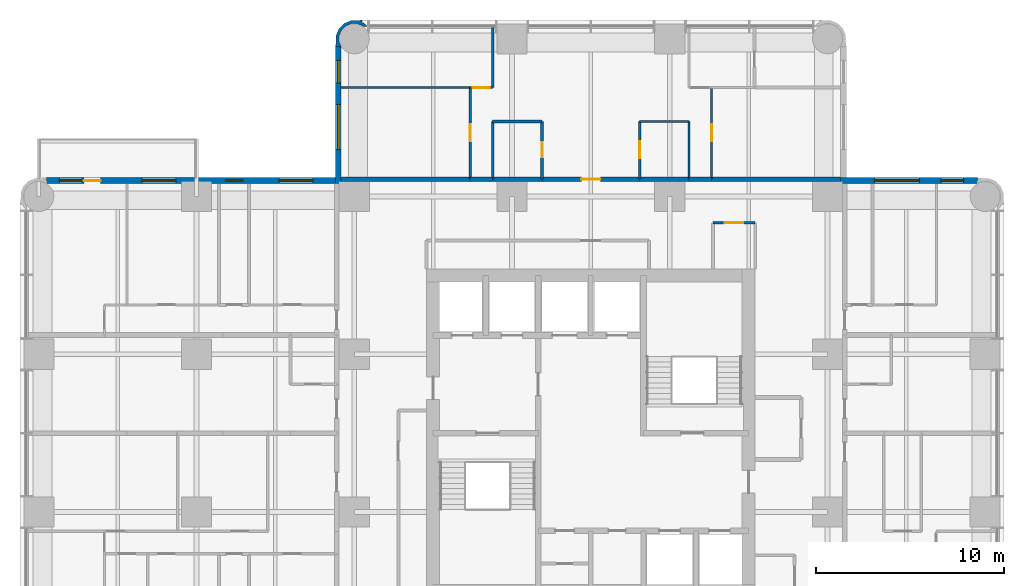
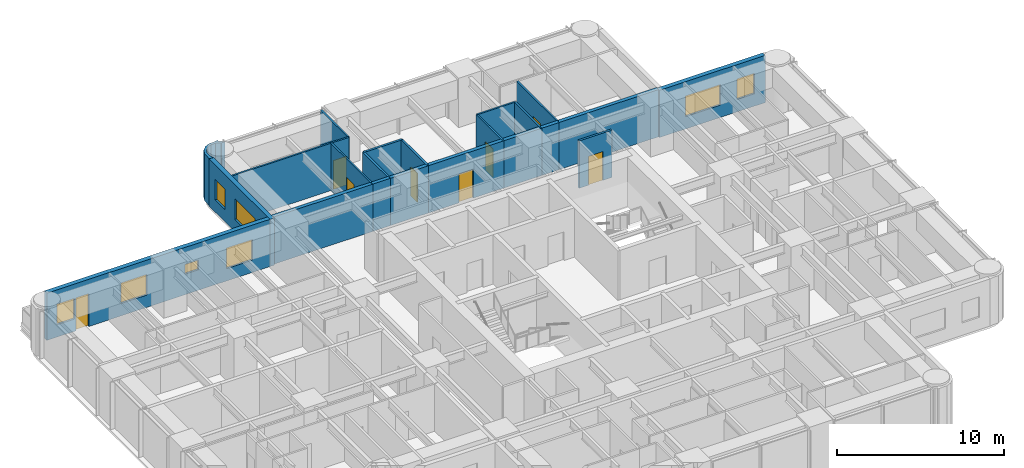
# One storey, part 9 of 11: 23 walls, 8 doors, 8 windows, 16 openings.
"""IFC4 building model written with IfcOpenShell, lengths in metres."""

from ifc_helpers import new_model, si_unit, direction, frame, frame_2d, origin, place, context, subcontext, project, spatial, polyline, rectangle, outline, extrude, material, layer, layer_set, type_object, element, fill, save


model = new_model("IFC4")

# Units and contexts
model_context = context("Model", 3, precision=1e-05, world=origin(), true_north=direction((0.0, 1.0)))
body_context = subcontext(model_context, "Body", "Model", "MODEL_VIEW")
ifc_project = project(units=[si_unit("LENGTHUNIT", "METRE"), si_unit("AREAUNIT", "SQUARE_METRE"), si_unit("VOLUMEUNIT", "CUBIC_METRE"), si_unit("PLANEANGLEUNIT", "RADIAN"), si_unit("MASSUNIT", "GRAM", prefix="KILO")], contexts=[model_context])

# Site, building, storey
site_placement = place(None, origin())
site = spatial("IfcSite", under=ifc_project, at=site_placement, CompositionType="ELEMENT")
building_placement = place(site_placement, origin())
building = spatial("IfcBuilding", under=site, at=building_placement, Name="Torre Alcanfor", CompositionType="ELEMENT")
storey_placement = place(building_placement, frame((0.0, 0.0, 240.89990234375)))
storey = spatial("IfcBuildingStorey", under=building, at=storey_placement, Name="L63", CompositionType="ELEMENT", Elevation=240.89990234375)

# Wall, opening, door
ifc_material_1 = material(Name="Concrete block masonry, hollow blocks NMX-C-404 9 MPa", Category="masonry")
ifc_layer_1 = layer(ifc_material_1, 0.25)
ifc_layer_set_1 = layer_set([ifc_layer_1], Name="Apartment entrance wall 250 EI 60")
wall_type_1 = type_object("IfcWallType", Name="Apartment entrance wall 250 EI 60", PredefinedType="PARTITIONING", material=ifc_layer_set_1)
wall_1_placement = place(storey_placement, frame((26.800048828125, 42.925048828125, 0.0), z_axis=(0.0, 0.0, 1.0), x_axis=(1.0, 0.0, 0.0)))
wall_1 = element("IfcWall", 1, at=wall_1_placement, inside=storey, type_object=wall_type_1, Name="Partition L63-CORR / L63-NX-ZAG", PredefinedType="PARTITIONING", context=body_context, shape_type="SweptSolid", body=[
    extrude(rectangle(XDim=5.199951171875, YDim=0.25, at=frame_2d((2.60009765625, 0.0))), origin(), (0.0, 0.0, 1.0), 3.4501953125),
])
opening_1_placement = place(wall_1_placement, frame((2.10009765625, 0.0, 0.0)))
opening_1 = element("IfcOpeningElement", 2, at=opening_1_placement, cuts=wall_1, Name="Opening D-A1", PredefinedType="OPENING", context=body_context, shape_type="SweptSolid", body=[
    extrude(rectangle(XDim=1.0, YDim=2.10009765625, at=frame_2d((0.5, 1.050048828125))), frame((0.0, 0.135009765625, 0.0), z_axis=(0.0, -1.0, 0.0), x_axis=(1.0, 0.0, 0.0)), (0.0, 0.0, 1.0), 0.27001953125),
])
ifc_material_2 = material(Name="Galvanised steel sheet ASTM A653", Category="steel")
door_type_1 = type_object("IfcDoorType", Name="Apartment entrance door FD60 1000x2100", OperationType="SINGLE_SWING_LEFT", PredefinedType="DOOR", material=ifc_material_2)
door_1_placement = place(opening_1_placement, origin())
door_1 = element("IfcDoor", 3, at=door_1_placement, inside=storey, type_object=door_type_1, Name="Apartment entrance L63-NX", OperationType="SINGLE_SWING_LEFT", OverallHeight=2.10009765625, OverallWidth=1.0, PredefinedType="DOOR", context=body_context, shape_type="SweptSolid", body=[
    extrude(rectangle(XDim=1.0, YDim=2.10009765625, at=frame_2d((0.5, 1.050048828125))), frame((0.0, 0.02490234375, 0.0), z_axis=(0.0, -1.0, 0.0), x_axis=(1.0, 0.0, 0.0)), (0.0, 0.0, 1.0), 0.050048828125),
])
fill(opening_1, door_1)

# Walls
wall_2_placement = place(storey_placement, frame((24.1708984375, 42.925048828125, 0.0), z_axis=(0.0, 0.0, 1.0), x_axis=(1.0, 0.0, 0.0)))
element("IfcWall", 4, at=wall_2_placement, inside=storey, type_object=wall_type_1, Name="Partition L63-CORR / L63-NX-BATH2", PredefinedType="PARTITIONING", context=body_context, shape_type="SweptSolid", body=[
    extrude(rectangle(XDim=2.629150390625, YDim=0.25, at=frame_2d((1.314453125, 0.0))), origin(), (0.0, 0.0, 1.0), 3.4501953125),
])
wall_3_placement = place(storey_placement, frame((32.0, 42.925048828125, 0.0), z_axis=(0.0, 0.0, 1.0), x_axis=(1.0, 0.0, 0.0)))
element("IfcWall", 5, at=wall_3_placement, inside=storey, type_object=wall_type_1, Name="Partition L63-CORR / L63-NX-KITCHEN", PredefinedType="PARTITIONING", context=body_context, shape_type="SweptSolid", body=[
    extrude(rectangle(XDim=2.62890625, YDim=0.25, at=frame_2d((1.314453125, 0.0))), origin(), (0.0, 0.0, 1.0), 3.4501953125),
])
wall_4_placement = place(storey_placement, frame((22.970947265625, 42.925048828125, 0.0), z_axis=(0.0, 0.0, 1.0), x_axis=(1.0, 0.0, 0.0)))
element("IfcWall", 6, at=wall_4_placement, inside=storey, type_object=wall_type_1, Name="Partition L63-CORR / L63-NX-LIVING", PredefinedType="PARTITIONING", context=body_context, shape_type="SweptSolid", body=[
    extrude(rectangle(XDim=1.199951171875, YDim=0.25, at=frame_2d((0.60009765625, 0.0))), origin(), (0.0, 0.0, 1.0), 3.4501953125),
])
wall_5_placement = place(storey_placement, frame((34.62890625, 42.925048828125, 0.0), z_axis=(0.0, 0.0, 1.0), x_axis=(1.0, 0.0, 0.0)))
element("IfcWall", 7, at=wall_5_placement, inside=storey, type_object=wall_type_1, Name="Partition L63-CORR / L63-NX-LIVING", PredefinedType="PARTITIONING", context=body_context, shape_type="SweptSolid", body=[
    extrude(rectangle(XDim=1.2001953125, YDim=0.25, at=frame_2d((0.60009765625, 0.0))), origin(), (0.0, 0.0, 1.0), 3.4501953125),
])
for number, where, z_axis, x_axis, name in (
    (8, (16.10009765625, 42.925048828125, 0.0), (0.0, 0.0, 1.0), (1.0, 0.0, 0.0), "Partition L63-CORR / L63-NX-BED2"),
    (9, (35.8291015625, 42.925048828125, 0.0), (0.0, 0.0, 1.0), (1.0, 0.0, 0.0), "Partition L63-CORR / L63-NX-BED3"),
):
    element("IfcWall", number, at=place(storey_placement, frame(where, z_axis=z_axis, x_axis=x_axis)), inside=storey, type_object=wall_type_1, Name=name, PredefinedType="PARTITIONING", context=body_context, shape_type="SweptSolid", body=[
        extrude(rectangle(XDim=6.870849609375, YDim=0.25, at=frame_2d((3.435546875, 0.0))), origin(), (0.0, 0.0, 1.0), 3.4501953125),
    ])

# Wall, opening, door
ifc_material_3 = material(Name="Gypsum board on steel studs", Category="steel")
ifc_layer_2 = layer(ifc_material_3, 0.1201171875)
ifc_layer_set_2 = layer_set([ifc_layer_2], Name="Apartment partition 120")
wall_type_2 = type_object("IfcWallType", Name="Apartment partition 120", PredefinedType="PARTITIONING", material=ifc_layer_set_2)
wall_6_placement = place(storey_placement, frame((32.0, 42.925048828125, 0.0), z_axis=(0.0, 0.0, 1.0), x_axis=(0.0, 1.0, 0.0)))
wall_6 = element("IfcWall", 10, at=wall_6_placement, inside=storey, type_object=wall_type_2, Name="Partition L63-NX-ZAG / L63-NX-KITCHEN", PredefinedType="PARTITIONING", context=body_context, shape_type="SweptSolid", body=[
    extrude(rectangle(XDim=3.074951171875, YDim=0.1201171875, at=frame_2d((1.53759765625, 0.0))), origin(), (0.0, 0.0, 1.0), 3.4501953125),
])
opening_2_placement = place(wall_6_placement, frame((1.125, 0.0, 0.0)))
opening_2 = element("IfcOpeningElement", 11, at=opening_2_placement, cuts=wall_6, Name="Opening D-R1", PredefinedType="OPENING", context=body_context, shape_type="SweptSolid", body=[
    extrude(rectangle(XDim=0.89990234375, YDim=2.10009765625, at=frame_2d((0.449951171875, 1.050048828125))), frame((0.0, 0.070068359375, 0.0), z_axis=(0.0, -1.0, 0.0), x_axis=(1.0, 0.0, 0.0)), (0.0, 0.0, 1.0), 0.14013671875),
])
ifc_material_4 = material(Name="Timber", Category="wood")
door_type_2 = type_object("IfcDoorType", Name="Internal door 900x2100", OperationType="SINGLE_SWING_LEFT", PredefinedType="DOOR", material=ifc_material_4)
door_2_placement = place(opening_2_placement, frame((0.89990234375, 0.0, 0.0), z_axis=(0.0, 0.0, 1.0), x_axis=(-1.0, 0.0, 0.0)))
door_2 = element("IfcDoor", 12, at=door_2_placement, inside=storey, type_object=door_type_2, Name="Door L63-NX kitchen", OperationType="SINGLE_SWING_LEFT", OverallHeight=2.10009765625, OverallWidth=0.89990234375, PredefinedType="DOOR", context=body_context, shape_type="SweptSolid", body=[
    extrude(rectangle(XDim=0.89990234375, YDim=2.10009765625, at=frame_2d((0.449951171875, 1.050048828125))), frame((0.0, 0.025146484375, 0.0), z_axis=(0.0, -1.0, 0.0), x_axis=(1.0, 0.0, 0.0)), (0.0, 0.0, 1.0), 0.050048828125),
])
fill(opening_2, door_2)

# Walls
wall_7_placement = place(storey_placement, frame((34.62890625, 42.925048828125, 0.0), z_axis=(0.0, 0.0, 1.0), x_axis=(0.0, 1.0, 0.0)))
element("IfcWall", 13, at=wall_7_placement, inside=storey, type_object=wall_type_2, Name="Partition L63-NX-KITCHEN / L63-NX-LIVING", PredefinedType="PARTITIONING", context=body_context, shape_type="SweptSolid", body=[
    extrude(rectangle(XDim=3.074951171875, YDim=0.1201171875, at=frame_2d((1.53759765625, 0.0))), origin(), (0.0, 0.0, 1.0), 3.4501953125),
])
wall_8_placement = place(storey_placement, frame((34.62890625, 46.0, 0.0), z_axis=(0.0, 0.0, 1.0), x_axis=(-1.0, 0.0, 0.0)))
element("IfcWall", 14, at=wall_8_placement, inside=storey, type_object=wall_type_2, Name="Partition L63-NX-KITCHEN / L63-NX-LIVING", PredefinedType="PARTITIONING", context=body_context, shape_type="SweptSolid", body=[
    extrude(rectangle(XDim=2.62890625, YDim=0.1201171875, at=frame_2d((1.314453125, 0.0))), origin(), (0.0, 0.0, 1.0), 3.4501953125),
])

# Wall, opening, door
wall_9_placement = place(storey_placement, frame((22.970947265625, 42.925048828125, 0.0), z_axis=(0.0, 0.0, 1.0), x_axis=(0.0, 1.0, 0.0)))
wall_9 = element("IfcWall", 15, at=wall_9_placement, inside=storey, type_object=wall_type_2, Name="Partition L63-NX-LIVING / L63-NX-BED2", PredefinedType="PARTITIONING", context=body_context, shape_type="SweptSolid", body=[
    extrude(rectangle(XDim=4.875, YDim=0.1201171875, at=frame_2d((2.4375, 0.0))), origin(), (0.0, 0.0, 1.0), 3.4501953125),
])
opening_3_placement = place(wall_9_placement, frame((2.02490234375, 0.0, 0.0)))
opening_3 = element("IfcOpeningElement", 16, at=opening_3_placement, cuts=wall_9, Name="Opening D-R1", PredefinedType="OPENING", context=body_context, shape_type="SweptSolid", body=[
    extrude(rectangle(XDim=0.89990234375, YDim=2.10009765625, at=frame_2d((0.449951171875, 1.050048828125))), frame((0.0, 0.070068359375, 0.0), z_axis=(0.0, -1.0, 0.0), x_axis=(1.0, 0.0, 0.0)), (0.0, 0.0, 1.0), 0.14013671875),
])
door_3_placement = place(opening_3_placement, origin())
door_3 = element("IfcDoor", 17, at=door_3_placement, inside=storey, type_object=door_type_2, Name="Door L63-NX bed2", OperationType="SINGLE_SWING_RIGHT", OverallHeight=2.10009765625, OverallWidth=0.89990234375, PredefinedType="DOOR", context=body_context, shape_type="SweptSolid", body=[
    extrude(rectangle(XDim=0.89990234375, YDim=2.10009765625, at=frame_2d((0.449951171875, 1.050048828125))), frame((0.0, 0.02490234375, 0.0), z_axis=(0.0, -1.0, 0.0), x_axis=(1.0, 0.0, 0.0)), (0.0, 0.0, 1.0), 0.050048828125),
])
fill(opening_3, door_3)

wall_10_placement = place(storey_placement, frame((22.970947265625, 47.800048828125, 0.0), z_axis=(0.0, 0.0, 1.0), x_axis=(1.0, 0.0, 0.0)))
wall_10 = element("IfcWall", 18, at=wall_10_placement, inside=storey, type_object=wall_type_2, Name="Partition L63-NX-LIVING / L63-NX-MASTER", PredefinedType="PARTITIONING", context=body_context, shape_type="SweptSolid", body=[
    extrude(rectangle(XDim=1.199951171875, YDim=0.1201171875, at=frame_2d((0.60009765625, 0.0))), origin(), (0.0, 0.0, 1.0), 3.4501953125),
])
opening_4_placement = place(wall_10_placement, frame((0.14892578125, 0.0, 0.0)))
opening_4 = element("IfcOpeningElement", 19, at=opening_4_placement, cuts=wall_10, Name="Opening D-R1", PredefinedType="OPENING", context=body_context, shape_type="SweptSolid", body=[
    extrude(rectangle(XDim=0.89990234375, YDim=2.10009765625, at=frame_2d((0.449951171875, 1.050048828125))), frame((0.0, 0.070068359375, 0.0), z_axis=(0.0, -1.0, 0.0), x_axis=(1.0, 0.0, 0.0)), (0.0, 0.0, 1.0), 0.14013671875),
])
door_4_placement = place(opening_4_placement, origin())
door_4 = element("IfcDoor", 20, at=door_4_placement, inside=storey, type_object=door_type_2, Name="Door L63-NX master", OperationType="SINGLE_SWING_RIGHT", OverallHeight=2.10009765625, OverallWidth=0.89990234375, PredefinedType="DOOR", context=body_context, shape_type="SweptSolid", body=[
    extrude(rectangle(XDim=0.89990234375, YDim=2.10009765625, at=frame_2d((0.449951171875, 1.050048828125))), frame((0.0, 0.02490234375, 0.0), z_axis=(0.0, -1.0, 0.0), x_axis=(1.0, 0.0, 0.0)), (0.0, 0.0, 1.0), 0.050048828125),
])
fill(opening_4, door_4)

# Wall
wall_11_placement = place(storey_placement, frame((24.1708984375, 47.800048828125, 0.0), z_axis=(0.0, 0.0, 1.0), x_axis=(0.0, 1.0, 0.0)))
element("IfcWall", 21, at=wall_11_placement, inside=storey, type_object=wall_type_2, Name="Partition L63-NX-LIVING / L63-NX-MASTER", PredefinedType="PARTITIONING", context=body_context, shape_type="SweptSolid", body=[
    extrude(rectangle(XDim=3.25, YDim=0.1201171875, at=frame_2d((1.625, 0.0))), origin(), (0.0, 0.0, 1.0), 3.4501953125),
])

# Wall, opening, door
wall_12_placement = place(storey_placement, frame((35.8291015625, 47.800048828125, 0.0), z_axis=(0.0, 0.0, 1.0), x_axis=(0.0, -1.0, 0.0)))
wall_12 = element("IfcWall", 22, at=wall_12_placement, inside=storey, type_object=wall_type_2, Name="Partition L63-NX-LIVING / L63-NX-BED3", PredefinedType="PARTITIONING", context=body_context, shape_type="SweptSolid", body=[
    extrude(rectangle(XDim=4.875, YDim=0.1201171875, at=frame_2d((2.4375, 0.0))), origin(), (0.0, 0.0, 1.0), 3.4501953125),
])
opening_5_placement = place(wall_12_placement, frame((1.949951171875, 0.0, 0.0)))
opening_5 = element("IfcOpeningElement", 23, at=opening_5_placement, cuts=wall_12, Name="Opening D-R1", PredefinedType="OPENING", context=body_context, shape_type="SweptSolid", body=[
    extrude(rectangle(XDim=0.89990234375, YDim=2.10009765625, at=frame_2d((0.449951171875, 1.050048828125))), frame((0.0, 0.070068359375, 0.0), z_axis=(0.0, -1.0, 0.0), x_axis=(1.0, 0.0, 0.0)), (0.0, 0.0, 1.0), 0.14013671875),
])
door_5_placement = place(opening_5_placement, origin())
door_5 = element("IfcDoor", 24, at=door_5_placement, inside=storey, type_object=door_type_2, Name="Door L63-NX bed3", OperationType="SINGLE_SWING_LEFT", OverallHeight=2.10009765625, OverallWidth=0.89990234375, PredefinedType="DOOR", context=body_context, shape_type="SweptSolid", body=[
    extrude(rectangle(XDim=0.89990234375, YDim=2.10009765625, at=frame_2d((0.449951171875, 1.050048828125))), frame((0.0, 0.02490234375, 0.0), z_axis=(0.0, -1.0, 0.0), x_axis=(1.0, 0.0, 0.0)), (0.0, 0.0, 1.0), 0.050048828125),
])
fill(opening_5, door_5)

# Wall
wall_13_placement = place(storey_placement, frame((22.970947265625, 47.800048828125, 0.0), z_axis=(0.0, 0.0, 1.0), x_axis=(-1.0, 0.0, 0.0)))
element("IfcWall", 25, at=wall_13_placement, inside=storey, type_object=wall_type_2, Name="Partition L63-NX-BED2 / L63-NX-MASTER", PredefinedType="PARTITIONING", context=body_context, shape_type="SweptSolid", body=[
    extrude(rectangle(XDim=6.870849609375, YDim=0.1201171875, at=frame_2d((3.435546875, 0.0))), origin(), (0.0, 0.0, 1.0), 3.4501953125),
])

# Wall, openings, door, windows
ifc_material_5 = material(Name="Limestone cladding", Category="masonry")
ifc_layer_3 = layer(ifc_material_5, 0.0400390625, Name="Facing")
ifc_material_6 = material(Name="Ventilated air cavity")
ifc_layer_4 = layer(ifc_material_6, 0.02001953125, ventilated=True, Name="Ventilated joint")
ifc_material_7 = material(Name="Mineral wool insulation", Category="insulation")
ifc_layer_5 = layer(ifc_material_7, 0.10009765625, Name="Insulation")
ifc_material_8 = material(Name="Concrete f'c 35 MPa", Category="concrete")
ifc_layer_6 = layer(ifc_material_8, 0.139892578125, Name="Backing")
ifc_layer_set_3 = layer_set([ifc_layer_3, ifc_layer_4, ifc_layer_5, ifc_layer_6], Name="External wall stone-clad 300")
wall_type_3 = type_object("IfcWallType", Name="External wall stone-clad 300", PredefinedType="SOLIDWALL", material=ifc_layer_set_3)
wall_14_placement = place(storey_placement, frame((15.800048828125, 42.85009765625, 0.0), z_axis=(0.0, 0.0, 1.0), x_axis=(-1.0, 0.0, 0.0)))
wall_14 = element("IfcWall", 26, at=wall_14_placement, inside=storey, type_object=wall_type_3, Name="External wall L63 1", PredefinedType="SOLIDWALL", context=body_context, shape_type="SweptSolid", body=[
    extrude(rectangle(XDim=15.400146484375, YDim=0.300048828125, at=frame_2d((7.7001953125, 0.0))), origin(), (0.0, 0.0, 1.0), 3.4501953125),
])
opening_6_placement = place(wall_14_placement, frame((1.199951171875, 0.0, 0.89990234375)))
opening_6 = element("IfcOpeningElement", 27, at=opening_6_placement, cuts=wall_14, Name="Opening W2", PredefinedType="OPENING", context=body_context, shape_type="SweptSolid", body=[
    extrude(rectangle(XDim=1.800048828125, YDim=1.5, at=frame_2d((0.89990234375, 0.75))), frame((0.0, 0.159912109375, 0.0), z_axis=(0.0, -1.0, 0.0), x_axis=(1.0, 0.0, 0.0)), (0.0, 0.0, 1.0), 0.320068359375),
])
opening_7_placement = place(wall_14_placement, frame((4.949951171875, 0.0, 1.5)))
opening_7 = element("IfcOpeningElement", 28, at=opening_7_placement, cuts=wall_14, Name="Opening W3", PredefinedType="OPENING", context=body_context, shape_type="SweptSolid", body=[
    extrude(rectangle(XDim=0.89990234375, YDim=0.699951171875, at=frame_2d((0.449951171875, 0.35009765625))), frame((0.0, 0.159912109375, 0.0), z_axis=(0.0, -1.0, 0.0), x_axis=(1.0, 0.0, 0.0)), (0.0, 0.0, 1.0), 0.320068359375),
])
opening_8_placement = place(wall_14_placement, frame((8.5, 0.0, 0.89990234375)))
opening_8 = element("IfcOpeningElement", 29, at=opening_8_placement, cuts=wall_14, Name="Opening W2", PredefinedType="OPENING", context=body_context, shape_type="SweptSolid", body=[
    extrude(rectangle(XDim=1.800048828125, YDim=1.5, at=frame_2d((0.89990234375, 0.75))), frame((0.0, 0.159912109375, 0.0), z_axis=(0.0, -1.0, 0.0), x_axis=(1.0, 0.0, 0.0)), (0.0, 0.0, 1.0), 0.320068359375),
])
opening_9_placement = place(wall_14_placement, frame((12.5, 0.0, 0.0)))
opening_9 = element("IfcOpeningElement", 30, at=opening_9_placement, cuts=wall_14, Name="Opening D-B1", PredefinedType="OPENING", context=body_context, shape_type="SweptSolid", body=[
    extrude(rectangle(XDim=0.89990234375, YDim=2.39990234375, at=frame_2d((0.449951171875, 1.199951171875))), frame((0.0, 0.159912109375, 0.0), z_axis=(0.0, -1.0, 0.0), x_axis=(1.0, 0.0, 0.0)), (0.0, 0.0, 1.0), 0.320068359375),
])
opening_10_placement = place(wall_14_placement, frame((13.5, 0.0, 0.89990234375)))
opening_10 = element("IfcOpeningElement", 31, at=opening_10_placement, cuts=wall_14, Name="Opening W4", PredefinedType="OPENING", context=body_context, shape_type="SweptSolid", body=[
    extrude(rectangle(XDim=1.199951171875, YDim=1.5, at=frame_2d((0.60009765625, 0.75))), frame((0.0, 0.159912109375, 0.0), z_axis=(0.0, -1.0, 0.0), x_axis=(1.0, 0.0, 0.0)), (0.0, 0.0, 1.0), 0.320068359375),
])
ifc_material_9 = material(Name="Aluminium and glass", Category="aluminium")
door_type_3 = type_object("IfcDoorType", Name="Balcony door glazed 900x2400", OperationType="SINGLE_SWING_LEFT", PredefinedType="DOOR", material=ifc_material_9)
door_6_placement = place(opening_9_placement, origin())
door_6 = element("IfcDoor", 32, at=door_6_placement, inside=storey, type_object=door_type_3, Name="Balcony door L63-W2", OperationType="SINGLE_SWING_LEFT", OverallHeight=2.39990234375, OverallWidth=0.89990234375, PredefinedType="DOOR", context=body_context, shape_type="SweptSolid", body=[
    extrude(rectangle(XDim=0.89990234375, YDim=2.39990234375, at=frame_2d((0.449951171875, 1.199951171875))), frame((0.0, 0.02490234375, 0.0), z_axis=(0.0, -1.0, 0.0), x_axis=(1.0, 0.0, 0.0)), (0.0, 0.0, 1.0), 0.050048828125),
])
fill(opening_9, door_6)
ifc_material_10 = material(Name="Aluminium frame with clear double glazing", Category="aluminium")
window_type_1 = type_object("IfcWindowType", Name="Window bathroom 900x700", PartitioningType="SINGLE_PANEL", PredefinedType="WINDOW", material=ifc_material_10)
window_1_placement = place(opening_7_placement, origin())
window_1 = element("IfcWindow", 33, at=window_1_placement, inside=storey, type_object=window_type_1, Name="Window W3 L63-W2", OverallHeight=0.699951171875, OverallWidth=0.89990234375, PartitioningType="SINGLE_PANEL", PredefinedType="WINDOW", context=body_context, shape_type="SweptSolid", body=[
    extrude(rectangle(XDim=0.89990234375, YDim=0.699951171875, at=frame_2d((0.449951171875, 0.35009765625))), frame((0.0, 0.030029296875, 0.0), z_axis=(0.0, -1.0, 0.0), x_axis=(1.0, 0.0, 0.0)), (0.0, 0.0, 1.0), 0.06005859375),
])
fill(opening_7, window_1)
ifc_material_11 = material(Name="Aluminium frame with clear double glazing", Category="aluminium")
window_type_2 = type_object("IfcWindowType", Name="Window bedroom 1200x1500", PartitioningType="SINGLE_PANEL", PredefinedType="WINDOW", material=ifc_material_11)
window_2_placement = place(opening_10_placement, origin())
window_2 = element("IfcWindow", 34, at=window_2_placement, inside=storey, type_object=window_type_2, Name="Window W4 L63-W2", OverallHeight=1.5, OverallWidth=1.199951171875, PartitioningType="SINGLE_PANEL", PredefinedType="WINDOW", context=body_context, shape_type="SweptSolid", body=[
    extrude(rectangle(XDim=1.199951171875, YDim=1.5, at=frame_2d((0.60009765625, 0.75))), frame((0.0, 0.030029296875, 0.0), z_axis=(0.0, -1.0, 0.0), x_axis=(1.0, 0.0, 0.0)), (0.0, 0.0, 1.0), 0.06005859375),
])
fill(opening_10, window_2)
ifc_material_12 = material(Name="Aluminium frame with clear double glazing", Category="aluminium")
window_type_3 = type_object("IfcWindowType", Name="Window bedroom 1800x1500", PartitioningType="SINGLE_PANEL", PredefinedType="WINDOW", material=ifc_material_12)
window_3_placement = place(opening_6_placement, origin())
window_3 = element("IfcWindow", 35, at=window_3_placement, inside=storey, type_object=window_type_3, Name="Window W2 L63-W2", OverallHeight=1.5, OverallWidth=1.800048828125, PartitioningType="SINGLE_PANEL", PredefinedType="WINDOW", context=body_context, shape_type="SweptSolid", body=[
    extrude(rectangle(XDim=1.800048828125, YDim=1.5, at=frame_2d((0.89990234375, 0.75))), frame((0.0, 0.030029296875, 0.0), z_axis=(0.0, -1.0, 0.0), x_axis=(1.0, 0.0, 0.0)), (0.0, 0.0, 1.0), 0.06005859375),
])
fill(opening_6, window_3)
window_4_placement = place(opening_8_placement, origin())
window_4 = element("IfcWindow", 36, at=window_4_placement, inside=storey, type_object=window_type_3, Name="Window W2 L63-W2", OverallHeight=1.5, OverallWidth=1.800048828125, PartitioningType="SINGLE_PANEL", PredefinedType="WINDOW", context=body_context, shape_type="SweptSolid", body=[
    extrude(rectangle(XDim=1.800048828125, YDim=1.5, at=frame_2d((0.89990234375, 0.75))), frame((0.0, 0.030029296875, 0.0), z_axis=(0.0, -1.0, 0.0), x_axis=(1.0, 0.0, 0.0)), (0.0, 0.0, 1.0), 0.06005859375),
])
fill(opening_8, window_4)

# Wall, openings, windows
wall_15_placement = place(storey_placement, frame((50.0, 42.85009765625, 0.0), z_axis=(0.0, 0.0, 1.0), x_axis=(-1.0, 0.0, 0.0)))
wall_15 = element("IfcWall", 37, at=wall_15_placement, inside=storey, type_object=wall_type_3, Name="External wall L63 9", PredefinedType="SOLIDWALL", context=body_context, shape_type="SweptSolid", body=[
    extrude(rectangle(XDim=7.300048828125, YDim=0.300048828125, at=frame_2d((3.64990234375, 0.0))), origin(), (0.0, 0.0, 1.0), 3.4501953125),
])
opening_11_placement = place(wall_15_placement, frame((3.10009765625, 0.0, 0.89990234375)))
opening_11 = element("IfcOpeningElement", 38, at=opening_11_placement, cuts=wall_15, Name="Opening W1", PredefinedType="OPENING", context=body_context, shape_type="SweptSolid", body=[
    extrude(rectangle(XDim=2.39990234375, YDim=1.5, at=frame_2d((1.199951171875, 0.75))), frame((0.0, 0.159912109375, 0.0), z_axis=(0.0, -1.0, 0.0), x_axis=(1.0, 0.0, 0.0)), (0.0, 0.0, 1.0), 0.320068359375),
])
opening_12_placement = place(wall_15_placement, frame((0.75, 0.0, 0.89990234375)))
opening_12 = element("IfcOpeningElement", 39, at=opening_12_placement, cuts=wall_15, Name="Opening W4", PredefinedType="OPENING", context=body_context, shape_type="SweptSolid", body=[
    extrude(rectangle(XDim=1.199951171875, YDim=1.5, at=frame_2d((0.60009765625, 0.75))), frame((0.0, 0.159912109375, 0.0), z_axis=(0.0, -1.0, 0.0), x_axis=(1.0, 0.0, 0.0)), (0.0, 0.0, 1.0), 0.320068359375),
])
window_5_placement = place(opening_12_placement, origin())
window_5 = element("IfcWindow", 40, at=window_5_placement, inside=storey, type_object=window_type_2, Name="Window W4 L63-E1", OverallHeight=1.5, OverallWidth=1.199951171875, PartitioningType="SINGLE_PANEL", PredefinedType="WINDOW", context=body_context, shape_type="SweptSolid", body=[
    extrude(rectangle(XDim=1.199951171875, YDim=1.5, at=frame_2d((0.60009765625, 0.75))), frame((0.0, 0.030029296875, 0.0), z_axis=(0.0, -1.0, 0.0), x_axis=(1.0, 0.0, 0.0)), (0.0, 0.0, 1.0), 0.06005859375),
])
fill(opening_12, window_5)
ifc_material_13 = material(Name="Aluminium frame with clear double glazing", Category="aluminium")
window_type_4 = type_object("IfcWindowType", Name="Window bedroom 2400x1500", PartitioningType="SINGLE_PANEL", PredefinedType="WINDOW", material=ifc_material_13)
window_6_placement = place(opening_11_placement, origin())
window_6 = element("IfcWindow", 41, at=window_6_placement, inside=storey, type_object=window_type_4, Name="Window W1 L63-E1", OverallHeight=1.5, OverallWidth=2.39990234375, PartitioningType="SINGLE_PANEL", PredefinedType="WINDOW", context=body_context, shape_type="SweptSolid", body=[
    extrude(rectangle(XDim=2.39990234375, YDim=1.5, at=frame_2d((1.199951171875, 0.75))), frame((0.0, 0.030029296875, 0.0), z_axis=(0.0, -1.0, 0.0), x_axis=(1.0, 0.0, 0.0)), (0.0, 0.0, 1.0), 0.06005859375),
])
fill(opening_11, window_6)

wall_16_placement = place(storey_placement, frame((15.949951171875, 50.0, 0.0), z_axis=(0.0, 0.0, 1.0), x_axis=(0.0, -1.0, 0.0)))
wall_16 = element("IfcWall", 42, at=wall_16_placement, inside=storey, type_object=wall_type_3, Name="External wall L63 12", PredefinedType="SOLIDWALL", context=body_context, shape_type="SweptSolid", body=[
    extrude(rectangle(XDim=7.300048828125, YDim=0.300048828125, at=frame_2d((3.64990234375, 0.0))), origin(), (0.0, 0.0, 1.0), 3.4501953125),
])
opening_13_placement = place(wall_16_placement, frame((3.10009765625, 0.0, 0.89990234375)))
opening_13 = element("IfcOpeningElement", 43, at=opening_13_placement, cuts=wall_16, Name="Opening W1", PredefinedType="OPENING", context=body_context, shape_type="SweptSolid", body=[
    extrude(rectangle(XDim=2.39990234375, YDim=1.5, at=frame_2d((1.199951171875, 0.75))), frame((0.0, 0.159912109375, 0.0), z_axis=(0.0, -1.0, 0.0), x_axis=(1.0, 0.0, 0.0)), (0.0, 0.0, 1.0), 0.320068359375),
])
opening_14_placement = place(wall_16_placement, frame((0.75, 0.0, 0.89990234375)))
opening_14 = element("IfcOpeningElement", 44, at=opening_14_placement, cuts=wall_16, Name="Opening W4", PredefinedType="OPENING", context=body_context, shape_type="SweptSolid", body=[
    extrude(rectangle(XDim=1.199951171875, YDim=1.5, at=frame_2d((0.60009765625, 0.75))), frame((0.0, 0.159912109375, 0.0), z_axis=(0.0, -1.0, 0.0), x_axis=(1.0, 0.0, 0.0)), (0.0, 0.0, 1.0), 0.320068359375),
])
window_7_placement = place(opening_14_placement, origin())
window_7 = element("IfcWindow", 45, at=window_7_placement, inside=storey, type_object=window_type_2, Name="Window W4 L63-N1", OverallHeight=1.5, OverallWidth=1.199951171875, PartitioningType="SINGLE_PANEL", PredefinedType="WINDOW", context=body_context, shape_type="SweptSolid", body=[
    extrude(rectangle(XDim=1.199951171875, YDim=1.5, at=frame_2d((0.60009765625, 0.75))), frame((0.0, 0.030029296875, 0.0), z_axis=(0.0, -1.0, 0.0), x_axis=(1.0, 0.0, 0.0)), (0.0, 0.0, 1.0), 0.06005859375),
])
fill(opening_14, window_7)
window_8_placement = place(opening_13_placement, origin())
window_8 = element("IfcWindow", 46, at=window_8_placement, inside=storey, type_object=window_type_4, Name="Window W1 L63-N1", OverallHeight=1.5, OverallWidth=2.39990234375, PartitioningType="SINGLE_PANEL", PredefinedType="WINDOW", context=body_context, shape_type="SweptSolid", body=[
    extrude(rectangle(XDim=2.39990234375, YDim=1.5, at=frame_2d((1.199951171875, 0.75))), frame((0.0, 0.030029296875, 0.0), z_axis=(0.0, -1.0, 0.0), x_axis=(1.0, 0.0, 0.0)), (0.0, 0.0, 1.0), 0.06005859375),
])
fill(opening_13, window_8)

# Wall, opening, door
ifc_material_14 = material(Name="Concrete block masonry, hollow blocks NMX-C-404 9 MPa", Category="masonry")
ifc_layer_7 = layer(ifc_material_14, 0.14990234375)
ifc_layer_set_4 = layer_set([ifc_layer_7], Name="Residents' room partition 150")
wall_type_4 = type_object("IfcWallType", Name="Residents' room partition 150", PredefinedType="PARTITIONING", material=ifc_layer_set_4)
wall_17_placement = place(storey_placement, frame((38.14990234375, 40.60009765625, 0.0), z_axis=(0.0, 0.0, 1.0), x_axis=(-1.0, 0.0, 0.0)))
wall_17 = element("IfcWall", 47, at=wall_17_placement, inside=storey, type_object=wall_type_4, Name="Partition L63-CORR / L63-G02", PredefinedType="PARTITIONING", context=body_context, shape_type="SweptSolid", body=[
    extrude(rectangle(XDim=2.25, YDim=0.14990234375, at=frame_2d((1.125, 0.0))), origin(), (0.0, 0.0, 1.0), 3.4501953125),
])
opening_15_placement = place(wall_17_placement, frame((0.625, 0.0, 0.0)))
opening_15 = element("IfcOpeningElement", 48, at=opening_15_placement, cuts=wall_17, Name="Opening D-M1", PredefinedType="OPENING", context=body_context, shape_type="SweptSolid", body=[
    extrude(rectangle(XDim=1.0, YDim=2.10009765625, at=frame_2d((0.5, 1.050048828125))), frame((0.0, 0.0849609375, 0.0), z_axis=(0.0, -1.0, 0.0), x_axis=(1.0, 0.0, 0.0)), (0.0, 0.0, 1.0), 0.169921875),
])
ifc_material_15 = material(Name="Timber", Category="wood")
door_type_4 = type_object("IfcDoorType", Name="Residents' room door 1000x2100", OperationType="SINGLE_SWING_LEFT", PredefinedType="DOOR", material=ifc_material_15)
door_7_placement = place(opening_15_placement, origin())
door_7 = element("IfcDoor", 49, at=door_7_placement, inside=storey, type_object=door_type_4, Name="Door L63-G02 parcel room", OperationType="SINGLE_SWING_LEFT", OverallHeight=2.10009765625, OverallWidth=1.0, PredefinedType="DOOR", context=body_context, shape_type="SweptSolid", body=[
    extrude(rectangle(XDim=1.0, YDim=2.10009765625, at=frame_2d((0.5, 1.050048828125))), frame((0.0, 0.02490234375, 0.0), z_axis=(0.0, -1.0, 0.0), x_axis=(1.0, 0.0, 0.0)), (0.0, 0.0, 1.0), 0.050048828125),
])
fill(opening_15, door_7)

# Wall
ifc_layer_8 = layer(ifc_material_5, 0.0400390625, Name="Facing")
ifc_layer_9 = layer(ifc_material_6, 0.02001953125, ventilated=True, Name="Ventilated joint")
ifc_layer_10 = layer(ifc_material_7, 0.10009765625, Name="Insulation")
ifc_layer_11 = layer(ifc_material_8, 0.139892578125, Name="Backing")
ifc_layer_set_5 = layer_set([ifc_layer_8, ifc_layer_9, ifc_layer_10, ifc_layer_11], Name="Rounded corner pier stone-clad 300")
wall_type_5 = type_object("IfcWallType", Name="Rounded corner pier stone-clad 300", PredefinedType="SOLIDWALL", material=ifc_layer_set_5)
wall_18_placement = place(storey_placement, frame((17.448071802, 50.995317512, 0.0), z_axis=(0.0, 0.0, 1.0), x_axis=(-0.343276641956, 0.93923434088, 0.0)))
element("IfcWall", 50, at=wall_18_placement, inside=storey, type_object=wall_type_5, Name="Corner pier L63 20", PredefinedType="SOLIDWALL", context=body_context, shape_type="SweptSolid", body=[
    extrude(outline(polyline([(0.24108059829103723, 0.022959620234629247), (0.3334805428319213, 0.12357557552177408), (0.4651739844878831, 0.09415889406460926), (0.5320540980205655, 0.3930753034134802), (0.6306958479185591, 0.6629675932609465), (0.6144442310825087, 1.0445145490965344), (0.4535240125743382, 1.3908175635047577), (0.17229496211504458, 1.6490443416962495), (-0.0975973277324218, 1.7476860915942432), (-0.36910859501107685, 1.8895490248211664), (-0.5092558011112671, 1.6213097208797382), (-0.4906820751319597, 1.6145212911926206), (-0.47934485608116756, 1.6085581501360122), (-0.21131694537408713, 1.6200307736528514), (0.0879264176258649, 1.5106616286937335), (0.32264848080083985, 1.2951661291093102), (0.4569426595377669, 1.0061627997252323), (0.4702938084391308, 0.6878005781830546), (0.3609246634800129, 0.3885572151831026), (0.1454291638955897, 0.15383515200812764), (0.10816871297824923, 0.136520951282565), (0.030981753202503952, -0.0746691922599299), (0.24108059829103723, 0.022959620234629247)])), origin(), (0.0, 0.0, 1.0), 3.4501953125),
])

# Wall, opening, door
ifc_material_16 = material(Name="Cement board on steel studs", Category="steel")
ifc_layer_12 = layer(ifc_material_16, 0.14990234375)
ifc_layer_set_6 = layer_set([ifc_layer_12], Name="Wet area partition 150")
wall_type_6 = type_object("IfcWallType", Name="Wet area partition 150", PredefinedType="PARTITIONING", material=ifc_layer_set_6)
wall_19_placement = place(storey_placement, frame((26.800048828125, 46.0, 0.0), z_axis=(0.0, 0.0, 1.0), x_axis=(0.0, -1.0, 0.0)))
wall_19 = element("IfcWall", 51, at=wall_19_placement, inside=storey, type_object=wall_type_6, Name="Partition L63-NX-ZAG / L63-NX-BATH2", PredefinedType="PARTITIONING", context=body_context, shape_type="SweptSolid", body=[
    extrude(rectangle(XDim=3.074951171875, YDim=0.14990234375, at=frame_2d((1.53759765625, 0.0))), origin(), (0.0, 0.0, 1.0), 3.4501953125),
])
opening_16_placement = place(wall_19_placement, frame((1.10009765625, 0.0, 0.0)))
opening_16 = element("IfcOpeningElement", 52, at=opening_16_placement, cuts=wall_19, Name="Opening D-R2", PredefinedType="OPENING", context=body_context, shape_type="SweptSolid", body=[
    extrude(rectangle(XDim=0.800048828125, YDim=2.10009765625, at=frame_2d((0.39990234375, 1.050048828125))), frame((0.0, 0.0849609375, 0.0), z_axis=(0.0, -1.0, 0.0), x_axis=(1.0, 0.0, 0.0)), (0.0, 0.0, 1.0), 0.169921875),
])
ifc_material_17 = material(Name="Timber", Category="wood")
door_type_5 = type_object("IfcDoorType", Name="Bathroom door 800x2100", OperationType="SINGLE_SWING_LEFT", PredefinedType="DOOR", material=ifc_material_17)
door_8_placement = place(opening_16_placement, frame((0.800048828125, 0.0, 0.0), z_axis=(0.0, 0.0, 1.0), x_axis=(-1.0, 0.0, 0.0)))
door_8 = element("IfcDoor", 53, at=door_8_placement, inside=storey, type_object=door_type_5, Name="Door L63-NX bath2", OperationType="SINGLE_SWING_RIGHT", OverallHeight=2.10009765625, OverallWidth=0.800048828125, PredefinedType="DOOR", context=body_context, shape_type="SweptSolid", body=[
    extrude(rectangle(XDim=0.800048828125, YDim=2.10009765625, at=frame_2d((0.400146484375, 1.050048828125))), frame((0.0, 0.025146484375, 0.0), z_axis=(0.0, -1.0, 0.0), x_axis=(1.0, 0.0, 0.0)), (0.0, 0.0, 1.0), 0.050048828125),
])
fill(opening_16, door_8)

# Walls
wall_20_placement = place(storey_placement, frame((26.800048828125, 46.0, 0.0), z_axis=(0.0, 0.0, 1.0), x_axis=(-1.0, 0.0, 0.0)))
element("IfcWall", 54, at=wall_20_placement, inside=storey, type_object=wall_type_6, Name="Partition L63-NX-BATH2 / L63-NX-LIVING", PredefinedType="PARTITIONING", context=body_context, shape_type="SweptSolid", body=[
    extrude(rectangle(XDim=2.629150390625, YDim=0.14990234375, at=frame_2d((1.314453125, 0.0))), origin(), (0.0, 0.0, 1.0), 3.4501953125),
])
wall_21_placement = place(storey_placement, frame((24.1708984375, 46.0, 0.0), z_axis=(0.0, 0.0, 1.0), x_axis=(0.0, -1.0, 0.0)))
element("IfcWall", 55, at=wall_21_placement, inside=storey, type_object=wall_type_6, Name="Partition L63-NX-BATH2 / L63-NX-LIVING", PredefinedType="PARTITIONING", context=body_context, shape_type="SweptSolid", body=[
    extrude(rectangle(XDim=3.074951171875, YDim=0.14990234375, at=frame_2d((1.53759765625, 0.0))), origin(), (0.0, 0.0, 1.0), 3.4501953125),
])

save(model, "model.ifc")
